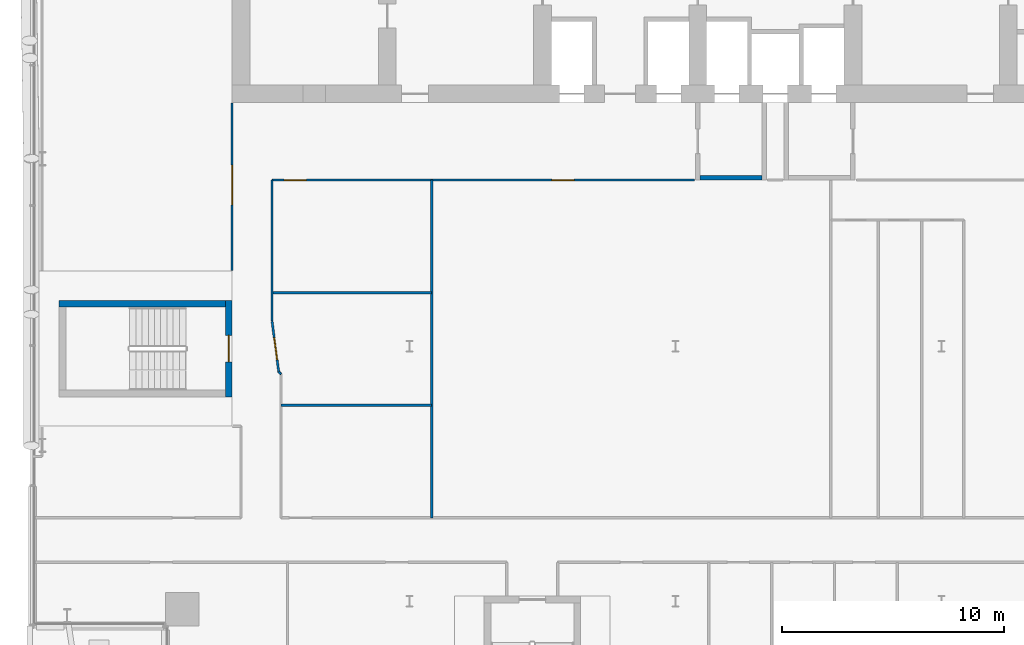
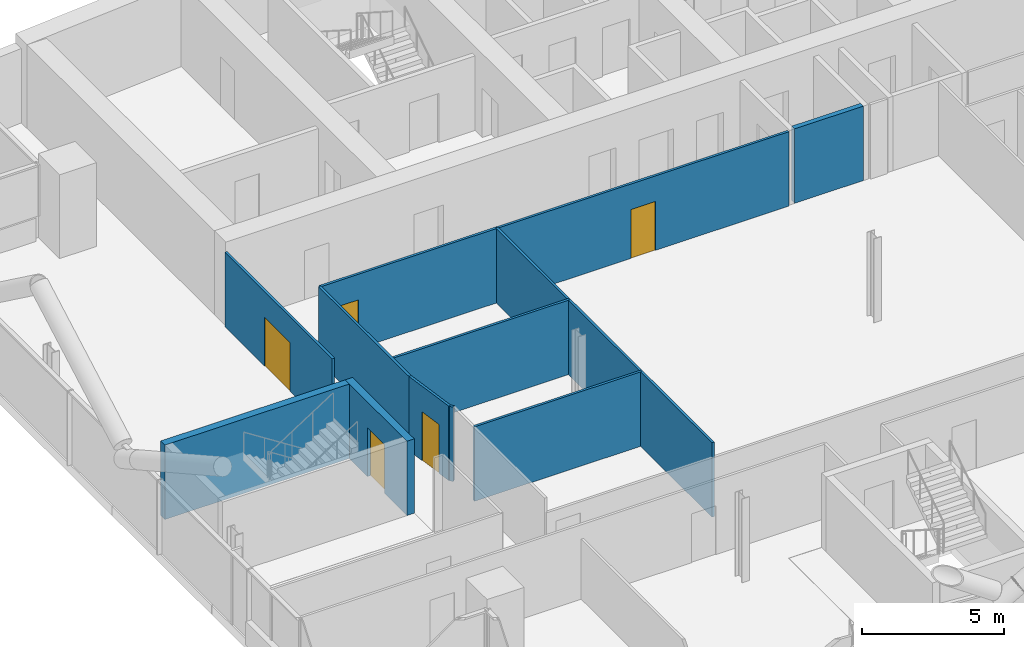
# One storey, part 16 of 30: 11 walls, 5 doors, 5 openings.
"""IFC4 building model written with IfcOpenShell, lengths in metres."""

from ifc_helpers import new_model, si_unit, direction, frame, frame_2d, origin, place, context, subcontext, project, spatial, rectangle, extrude, material, layer, layer_set, type_object, element, fill, save


model = new_model("IFC4")

# Units and contexts
model_context = context("Model", 3, precision=1e-05, world=origin(), true_north=direction((0.0, 1.0)))
body_context = subcontext(model_context, "Body", "Model", "MODEL_VIEW")
ifc_project = project(units=[si_unit("LENGTHUNIT", "METRE"), si_unit("AREAUNIT", "SQUARE_METRE"), si_unit("VOLUMEUNIT", "CUBIC_METRE"), si_unit("PLANEANGLEUNIT", "RADIAN"), si_unit("MASSUNIT", "GRAM", prefix="KILO")], contexts=[model_context])

# Site, building, storey
site_placement = place(None, origin())
site = spatial("IfcSite", under=ifc_project, at=site_placement, CompositionType="ELEMENT")
building_placement = place(site_placement, origin())
building = spatial("IfcBuilding", under=site, at=building_placement, Name="Wharfspan Tower", CompositionType="ELEMENT")
storey_placement = place(building_placement, frame((0.0, 0.0, 151.899902)))
storey = spatial("IfcBuildingStorey", under=building, at=storey_placement, Name="L36", CompositionType="ELEMENT", Elevation=151.899902)

# Wall, opening, door
ifc_material_1 = material(Name="Gypsum board on steel studs", Category="steel")
ifc_layer_1 = layer(ifc_material_1, 0.100098)
ifc_layer_set_1 = layer_set([ifc_layer_1], Name="Gypsum board on steel studs")
wall_type_1 = type_object("IfcWallType", Name="Compartment wall 100 EI 60", PredefinedType="PARTITIONING", material=ifc_layer_set_1)
wall_1_placement = place(storey_placement, frame((16.0, 26.419922, 0.0), z_axis=(0.0, 0.0, 1.0), x_axis=(0.0, 1.0, 0.0)))
wall_1 = element("IfcWall", 1, at=wall_1_placement, inside=storey, type_object=wall_type_1, Name="Partition L36.w006", PredefinedType="PARTITIONING", context=body_context, shape_type="SweptSolid", body=[
    extrude(rectangle(XDim=7.560059, YDim=0.100098, at=frame_2d((3.780029, 0.0))), origin(), (0.0, 0.0, 1.0), 3.200195),
])
opening_1_placement = place(wall_1_placement, frame((2.959961, 0.0, 0.0)))
opening_1 = element("IfcOpeningElement", 2, at=opening_1_placement, cuts=wall_1, Name="Opening C1-19", PredefinedType="OPENING", context=body_context, shape_type="SweptSolid", body=[
    extrude(rectangle(XDim=1.800049, YDim=2.100098, at=frame_2d((0.899902, 1.050049))), frame((0.0, 0.060059, 0.0), z_axis=(0.0, -1.0, 0.0), x_axis=(1.0, 0.0, 0.0)), (0.0, 0.0, 1.0), 0.120117),
])
ifc_material_2 = material(Name="Fire-rated timber door leaf in steel frame", Category="steel")
door_type_1 = type_object("IfcDoorType", Name="Door 1800 FD30S Double", OperationType="DOUBLE_DOOR_SINGLE_SWING", PredefinedType="DOOR", material=ifc_material_2)
door_1_placement = place(opening_1_placement, origin())
door_1 = element("IfcDoor", 3, at=door_1_placement, inside=storey, type_object=door_type_1, Name="Door C1-19", OperationType="DOUBLE_DOOR_SINGLE_SWING", OverallHeight=2.100098, OverallWidth=1.800049, PredefinedType="DOOR", context=body_context, shape_type="SweptSolid", body=[
    extrude(rectangle(XDim=1.800049, YDim=2.100098, at=frame_2d((0.899902, 1.050049))), frame((0.0, 0.024902, 0.0), z_axis=(0.0, -1.0, 0.0), x_axis=(1.0, 0.0, 0.0)), (0.0, 0.0, 1.0), 0.050049),
])
fill(opening_1, door_1)

# Walls
wall_2_placement = place(storey_placement, frame((17.800049, 24.13501, 0.0), z_axis=(0.0, 0.0, 1.0), x_axis=(0.0, 1.0, 0.0)))
element("IfcWall", 4, at=wall_2_placement, inside=storey, type_object=wall_type_1, Name="Partition L36.w009", PredefinedType="PARTITIONING", context=body_context, shape_type="SweptSolid", body=[
    extrude(rectangle(XDim=6.36499, YDim=0.100098, at=frame_2d((3.182617, 0.0))), origin(), (0.0, 0.0, 1.0), 3.200195),
])
wall_3_placement = place(storey_placement, frame((17.800049, 25.425049, 0.0), z_axis=(0.0, 0.0, 1.0), x_axis=(1.0, 0.0, 0.0)))
element("IfcWall", 5, at=wall_3_placement, inside=storey, type_object=wall_type_1, Name="Partition L36.w010", PredefinedType="PARTITIONING", context=body_context, shape_type="SweptSolid", body=[
    extrude(rectangle(XDim=7.199951, YDim=0.100098, at=frame_2d((3.600098, 0.0))), origin(), (0.0, 0.0, 1.0), 3.200195),
])

# Wall, openings, doors
wall_4_placement = place(storey_placement, frame((17.800049, 30.5, 0.0), z_axis=(0.0, 0.0, 1.0), x_axis=(1.0, 0.0, 0.0)))
wall_4 = element("IfcWall", 6, at=wall_4_placement, inside=storey, type_object=wall_type_1, Name="Partition L36.w011", PredefinedType="PARTITIONING", context=body_context, shape_type="SweptSolid", body=[
    extrude(rectangle(XDim=19.050049, YDim=0.100098, at=frame_2d((9.524902, 0.0))), origin(), (0.0, 0.0, 1.0), 3.200195),
])
opening_2_placement = place(wall_4_placement, frame((0.544922, 0.0, 0.0)))
opening_2 = element("IfcOpeningElement", 7, at=opening_2_placement, cuts=wall_4, Name="Opening C1-21", PredefinedType="OPENING", context=body_context, shape_type="SweptSolid", body=[
    extrude(rectangle(XDim=1.0, YDim=2.100098, at=frame_2d((0.5, 1.050049))), frame((0.0, 0.060059, 0.0), z_axis=(0.0, -1.0, 0.0), x_axis=(1.0, 0.0, 0.0)), (0.0, 0.0, 1.0), 0.120117),
])
opening_3_placement = place(wall_4_placement, frame((12.620117, 0.0, 0.0)))
opening_3 = element("IfcOpeningElement", 8, at=opening_3_placement, cuts=wall_4, Name="Opening C1-22", PredefinedType="OPENING", context=body_context, shape_type="SweptSolid", body=[
    extrude(rectangle(XDim=1.0, YDim=2.100098, at=frame_2d((0.5, 1.050049))), frame((0.0, 0.060059, 0.0), z_axis=(0.0, -1.0, 0.0), x_axis=(1.0, 0.0, 0.0)), (0.0, 0.0, 1.0), 0.120117),
])
door_type_2 = type_object("IfcDoorType", Name="Door 1000 FD30S Left", OperationType="SINGLE_SWING_LEFT", PredefinedType="DOOR", material=ifc_material_2)
door_2_placement = place(opening_2_placement, origin())
door_2 = element("IfcDoor", 9, at=door_2_placement, inside=storey, type_object=door_type_2, Name="Door C1-21", OperationType="SINGLE_SWING_LEFT", OverallHeight=2.100098, OverallWidth=1.0, PredefinedType="DOOR", context=body_context, shape_type="SweptSolid", body=[
    extrude(rectangle(XDim=1.0, YDim=2.100098, at=frame_2d((0.5, 1.050049))), frame((0.0, 0.024902, 0.0), z_axis=(0.0, -1.0, 0.0), x_axis=(1.0, 0.0, 0.0)), (0.0, 0.0, 1.0), 0.050049),
])
fill(opening_2, door_2)
door_3_placement = place(opening_3_placement, origin())
door_3 = element("IfcDoor", 10, at=door_3_placement, inside=storey, type_object=door_type_2, Name="Door C1-22", OperationType="SINGLE_SWING_LEFT", OverallHeight=2.100098, OverallWidth=1.0, PredefinedType="DOOR", context=body_context, shape_type="SweptSolid", body=[
    extrude(rectangle(XDim=1.0, YDim=2.100098, at=frame_2d((0.5, 1.050049))), frame((0.0, 0.024902, 0.0), z_axis=(0.0, -1.0, 0.0), x_axis=(1.0, 0.0, 0.0)), (0.0, 0.0, 1.0), 0.050049),
])
fill(opening_3, door_3)

# Wall, opening, door
wall_5_placement = place(storey_placement, frame((18.100098, 21.860107, 0.0), z_axis=(0.0, 0.0, 1.0), x_axis=(-0.130763, 0.991415, 0.0)))
wall_5 = element("IfcWall", 11, at=wall_5_placement, inside=storey, type_object=wall_type_1, Name="Partition L36.w012", PredefinedType="PARTITIONING", context=body_context, shape_type="SweptSolid", body=[
    extrude(rectangle(XDim=2.294678, YDim=0.100098, at=frame_2d((1.147461, 0.0))), origin(), (0.0, 0.0, 1.0), 3.200195),
])
opening_4_placement = place(wall_5_placement, frame((0.546387, 0.0, 0.0)))
opening_4 = element("IfcOpeningElement", 12, at=opening_4_placement, cuts=wall_5, Name="Opening C1-15", PredefinedType="OPENING", context=body_context, shape_type="SweptSolid", body=[
    extrude(rectangle(XDim=1.0, YDim=2.100098, at=frame_2d((0.5, 1.050049))), frame((0.0, 0.060059, 0.0), z_axis=(0.0, -1.0, 0.0), x_axis=(1.0, 0.0, 0.0)), (0.0, 0.0, 1.0), 0.120117),
])
door_4_placement = place(opening_4_placement, origin())
door_4 = element("IfcDoor", 13, at=door_4_placement, inside=storey, type_object=door_type_2, Name="Door C1-15", OperationType="SINGLE_SWING_LEFT", OverallHeight=2.100098, OverallWidth=1.0, PredefinedType="DOOR", context=body_context, shape_type="SweptSolid", body=[
    extrude(rectangle(XDim=1.0, YDim=2.100098, at=frame_2d((0.5, 1.050049))), frame((0.0, 0.024902, 0.0), z_axis=(0.0, -1.0, 0.0), x_axis=(1.0, 0.0, 0.0)), (0.0, 0.0, 1.0), 0.050049),
])
fill(opening_4, door_4)

# Walls
wall_6_placement = place(storey_placement, frame((18.199951, 21.75, 0.0), z_axis=(0.0, 0.0, 1.0), x_axis=(-0.671773, 0.740757, 0.0)))
element("IfcWall", 14, at=wall_6_placement, inside=storey, type_object=wall_type_1, Name="Partition L36.w013", PredefinedType="PARTITIONING", context=body_context, shape_type="SweptSolid", body=[
    extrude(rectangle(XDim=0.148682, YDim=0.100098, at=frame_2d((0.074219, 0.0))), origin(), (0.0, 0.0, 1.0), 3.200195),
])
wall_7_placement = place(storey_placement, frame((18.199951, 20.344971, 0.0), z_axis=(0.0, 0.0, 1.0), x_axis=(1.0, 0.0, 0.0)))
element("IfcWall", 15, at=wall_7_placement, inside=storey, type_object=wall_type_1, Name="Partition L36.w016", PredefinedType="PARTITIONING", context=body_context, shape_type="SweptSolid", body=[
    extrude(rectangle(XDim=6.800049, YDim=0.100098, at=frame_2d((3.399902, 0.0))), origin(), (0.0, 0.0, 1.0), 3.200195),
])
wall_8_placement = place(storey_placement, frame((25.0, 15.27002, 0.0), z_axis=(0.0, 0.0, 1.0), x_axis=(0.0, 1.0, 0.0)))
element("IfcWall", 16, at=wall_8_placement, inside=storey, type_object=wall_type_1, Name="Partition L36.w019", PredefinedType="PARTITIONING", context=body_context, shape_type="SweptSolid", body=[
    extrude(rectangle(XDim=15.22998, YDim=0.100098, at=frame_2d((7.61499, 0.0))), origin(), (0.0, 0.0, 1.0), 3.200195),
])
ifc_material_3 = material(Name="Concrete C30/37", Category="concrete")
ifc_layer_2 = layer(ifc_material_3, 0.199951)
ifc_layer_set_2 = layer_set([ifc_layer_2], Name="Concrete C30/37")
wall_type_2 = type_object("IfcWallType", Name="Lobby wall 200", PredefinedType="PARTITIONING", material=ifc_layer_set_2)
wall_9_placement = place(storey_placement, frame((37.100098, 30.600098, 0.0), z_axis=(0.0, 0.0, 1.0), x_axis=(1.0, 0.0, 0.0)))
element("IfcWall", 17, at=wall_9_placement, inside=storey, type_object=wall_type_2, Name="sw:L36:FLFF1F", PredefinedType="PARTITIONING", context=body_context, shape_type="SweptSolid", body=[
    extrude(rectangle(XDim=2.799805, YDim=0.199951, at=frame_2d((1.399902, 0.0))), origin(), (0.0, 0.0, 1.0), 3.200195),
])

# Wall, opening, door
ifc_material_4 = material(Name="Concrete C40/50", Category="concrete")
ifc_layer_3 = layer(ifc_material_4, 0.300049)
ifc_layer_set_3 = layer_set([ifc_layer_3], Name="Concrete C40/50")
wall_type_3 = type_object("IfcWallType", Name="Stair core wall 300", PredefinedType="SHEAR", material=ifc_layer_set_3)
wall_10_placement = place(storey_placement, frame((15.850098, 20.725098, 0.0), z_axis=(0.0, 0.0, 1.0), x_axis=(0.0, 1.0, 0.0)))
wall_10 = element("IfcWall", 18, at=wall_10_placement, inside=storey, type_object=wall_type_3, Name="ST3 stair enclosure wall L36", PredefinedType="SHEAR", context=body_context, shape_type="SweptSolid", body=[
    extrude(rectangle(XDim=4.349854, YDim=0.300049, at=frame_2d((2.174805, 0.0))), origin(), (0.0, 0.0, 1.0), 3.200195),
])
opening_5_placement = place(wall_10_placement, frame((1.574951, 0.0, 0.0)))
opening_5 = element("IfcOpeningElement", 19, at=opening_5_placement, cuts=wall_10, Name="Opening SD3.L36", PredefinedType="OPENING", context=body_context, shape_type="SweptSolid", body=[
    extrude(rectangle(XDim=1.199951, YDim=2.100098, at=frame_2d((0.600098, 1.050049))), frame((0.0, 0.159912, 0.0), z_axis=(0.0, -1.0, 0.0), x_axis=(1.0, 0.0, 0.0)), (0.0, 0.0, 1.0), 0.320068),
])
ifc_material_5 = material(Name="Steel door leaf", Category="steel")
door_type_3 = type_object("IfcDoorType", Name="Stair door 1200x2100", OperationType="SINGLE_SWING_LEFT", PredefinedType="DOOR", material=ifc_material_5)
door_5_placement = place(opening_5_placement, origin())
door_5 = element("IfcDoor", 20, at=door_5_placement, inside=storey, type_object=door_type_3, Name="sd:L36:ST3z3", OperationType="SINGLE_SWING_RIGHT", OverallHeight=2.100098, OverallWidth=1.199951, PredefinedType="DOOR", context=body_context, shape_type="SweptSolid", body=[
    extrude(rectangle(XDim=1.199951, YDim=2.100098, at=frame_2d((0.600098, 1.050049))), frame((0.0, 0.024902, 0.0), z_axis=(0.0, -1.0, 0.0), x_axis=(1.0, 0.0, 0.0)), (0.0, 0.0, 1.0), 0.050049),
])
fill(opening_5, door_5)

# Wall
wall_11_placement = place(storey_placement, frame((8.199951, 24.925049, 0.0), z_axis=(0.0, 0.0, 1.0), x_axis=(1.0, 0.0, 0.0)))
element("IfcWall", 21, at=wall_11_placement, inside=storey, type_object=wall_type_3, Name="ST3 stair enclosure wall L36", PredefinedType="SHEAR", context=body_context, shape_type="SweptSolid", body=[
    extrude(rectangle(XDim=7.5, YDim=0.300049, at=frame_2d((3.75, 0.0))), origin(), (0.0, 0.0, 1.0), 3.200195),
])

save(model, "model.ifc")
